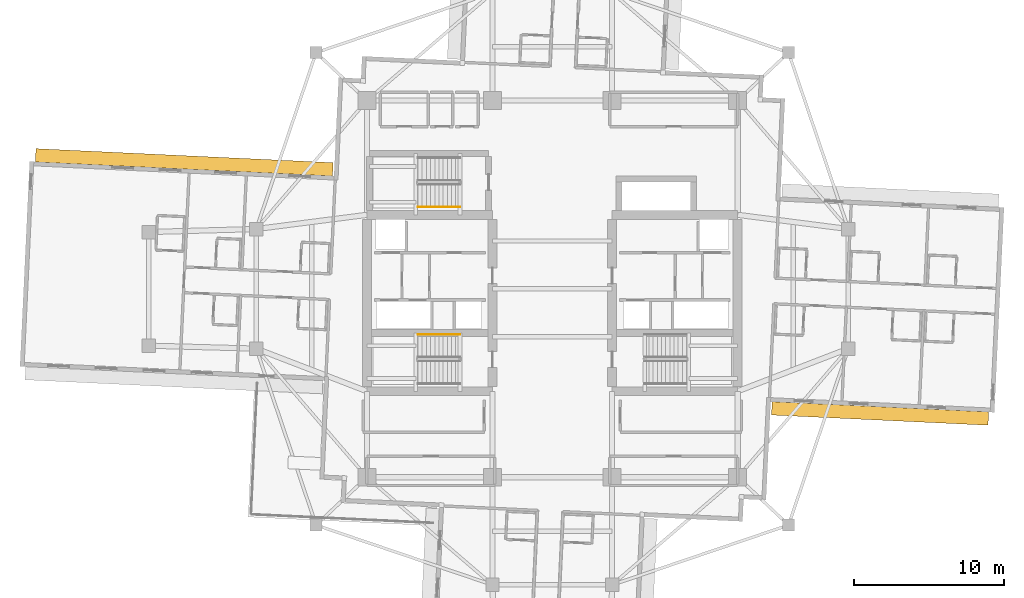
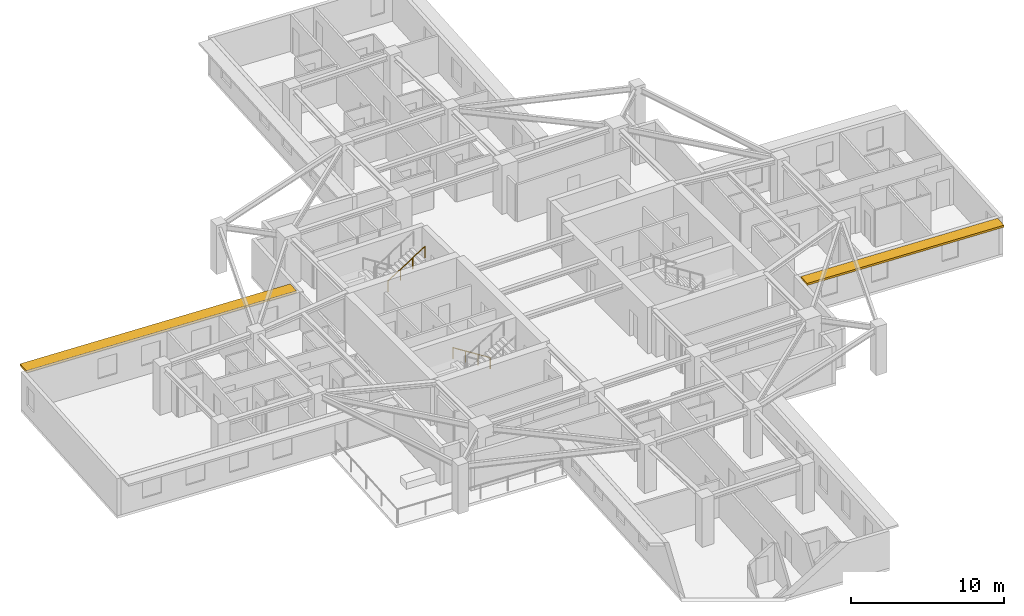
# One storey, part 12 of 14: 2 railings, 2 shading devices.
"""IFC4 building model written with IfcOpenShell, lengths in metres."""

from ifc_helpers import new_model, si_unit, direction, frame, origin, origin_2d, place, context, subcontext, project, spatial, rectangle, circle, extrude, material, layer, layer_set, type_object, element, save


model = new_model("IFC4")

# Units and contexts
model_context = context("Model", 3, precision=1e-05, world=origin(), true_north=direction((0.0, 1.0)))
body_context = subcontext(model_context, "Body", "Model", "MODEL_VIEW")
ifc_project = project(units=[si_unit("LENGTHUNIT", "METRE"), si_unit("AREAUNIT", "SQUARE_METRE"), si_unit("VOLUMEUNIT", "CUBIC_METRE"), si_unit("PLANEANGLEUNIT", "RADIAN"), si_unit("MASSUNIT", "GRAM", prefix="KILO")], contexts=[model_context])

# Site, building, storey
site_placement = place(None, origin())
site = spatial("IfcSite", under=ifc_project, at=site_placement, CompositionType="ELEMENT")
building_placement = place(site_placement, origin())
building = spatial("IfcBuilding", under=site, at=building_placement, Name="Qingluan Cross Belvedere", CompositionType="ELEMENT")
storey_placement = place(building_placement, frame((0.0, 0.0, 156.60009765625)))
storey = spatial("IfcBuildingStorey", under=building, at=storey_placement, Name="L39", CompositionType="ELEMENT", Elevation=156.60009765625)

# Shading devices
ifc_material_1 = material(Name="Precast concrete C45", Category="concrete")
ifc_layer = layer(ifc_material_1, 0.159912109375, Name="ConcreteSunshadeBand_900")
ifc_layer_set = layer_set([ifc_layer], Name="Precast concrete C45")
shading_device_type = type_object("IfcShadingDeviceType", Name="ConcreteSunshadeBand_900", PredefinedType="USERDEFINED", material=ifc_layer_set)
shading_device_1_placement = place(storey_placement, frame((21.921875, -8.331787109375, 2.7900390625), z_axis=(0.0, 0.0, 1.0), x_axis=(0.998889750114, -0.047109098032, 0.0)))
element("IfcShadingDevice", 1, at=shading_device_1_placement, inside=storey, type_object=shading_device_type, Name="Concrete SUNSHADE L39-EA", ObjectType="SUNSHADE", PredefinedType="USERDEFINED", context=body_context, shape_type="SweptSolid", body=[
    extrude(rectangle(XDim=14.5, YDim=0.89990234375, at=origin_2d()), origin(), (0.0, 0.0, 1.0), 0.159912109375),
])
shading_device_2_placement = place(storey_placement, frame((-24.618896484375, 8.458984375, 2.7900390625), z_axis=(0.0, 0.0, 1.0), x_axis=(-0.998889958255, 0.047104684445, 0.0)))
element("IfcShadingDevice", 2, at=shading_device_2_placement, inside=storey, type_object=shading_device_type, Name="Concrete SUNSHADE L39-WA", ObjectType="SUNSHADE", PredefinedType="USERDEFINED", context=body_context, shape_type="SweptSolid", body=[
    extrude(rectangle(XDim=19.89990234375, YDim=0.89990234375, at=origin_2d()), origin(), (0.0, 0.0, 1.0), 0.159912109375),
])

# Railings
ifc_material_2 = material(Name="Brushed stainless steel tubular handrail", Category="steel")
railing_type = type_object("IfcRailingType", Name="StairPitchHandrail_900", PredefinedType="HANDRAIL", material=ifc_material_2)
railing_1_placement = place(storey_placement, frame((-6.179931640625, -3.050048828125, 0.17724609375)))
element("IfcRailing", 3, at=railing_1_placement, inside=storey, type_object=railing_type, Name="L39 ST1 stair handrail 1", PredefinedType="HANDRAIL", context=body_context, shape_type="SweptSolid", body=[
    extrude(circle(Radius=0.02392578125, at=origin_2d()), frame((0.0, 0.0, 0.8759765625), z_axis=(-0.844908973607, 0.0, 0.534910110503), x_axis=(0.0, -1.0, 0.0)), (0.0, 0.0, 1.0), 3.31396484375),
    extrude(circle(Radius=0.02099609375, at=origin_2d()), origin(), (0.0, 0.0, 1.0), 0.851806640625),
    extrude(circle(Radius=0.02099609375, at=origin_2d()), frame((-0.933349609375, 0.0, 0.5908203125)), (0.0, 0.0, 1.0), 0.851806640625),
    extrude(circle(Radius=0.02099609375, at=origin_2d()), frame((-1.86669921875, 0.0, 1.181884765625)), (0.0, 0.0, 1.0), 0.851806640625),
    extrude(circle(Radius=0.02099609375, at=origin_2d()), frame((-2.800048828125, 0.0, 1.772705078125)), (0.0, 0.0, 1.0), 0.851806640625),
])
railing_2_placement = place(storey_placement, frame((-8.97998046875, 5.469970703125, 2.127197265625)))
element("IfcRailing", 4, at=railing_2_placement, inside=storey, type_object=railing_type, Name="L39 ST3 stair handrail 2", PredefinedType="HANDRAIL", context=body_context, shape_type="SweptSolid", body=[
    extrude(circle(Radius=0.02392578125, at=origin_2d()), frame((0.0, 0.0, 0.8759765625), z_axis=(0.844908973607, 0.0, 0.534910110503), x_axis=(0.0, 1.0, 0.0)), (0.0, 0.0, 1.0), 3.31396484375),
    extrude(circle(Radius=0.02099609375, at=origin_2d()), origin(), (0.0, 0.0, 1.0), 0.851806640625),
    extrude(circle(Radius=0.02099609375, at=origin_2d()), frame((0.933349609375, 0.0, 0.5908203125)), (0.0, 0.0, 1.0), 0.851806640625),
    extrude(circle(Radius=0.02099609375, at=origin_2d()), frame((1.86669921875, 0.0, 1.181884765625)), (0.0, 0.0, 1.0), 0.851806640625),
    extrude(circle(Radius=0.02099609375, at=origin_2d()), frame((2.800048828125, 0.0, 1.772705078125)), (0.0, 0.0, 1.0), 0.851806640625),
])

save(model, "model.ifc")
